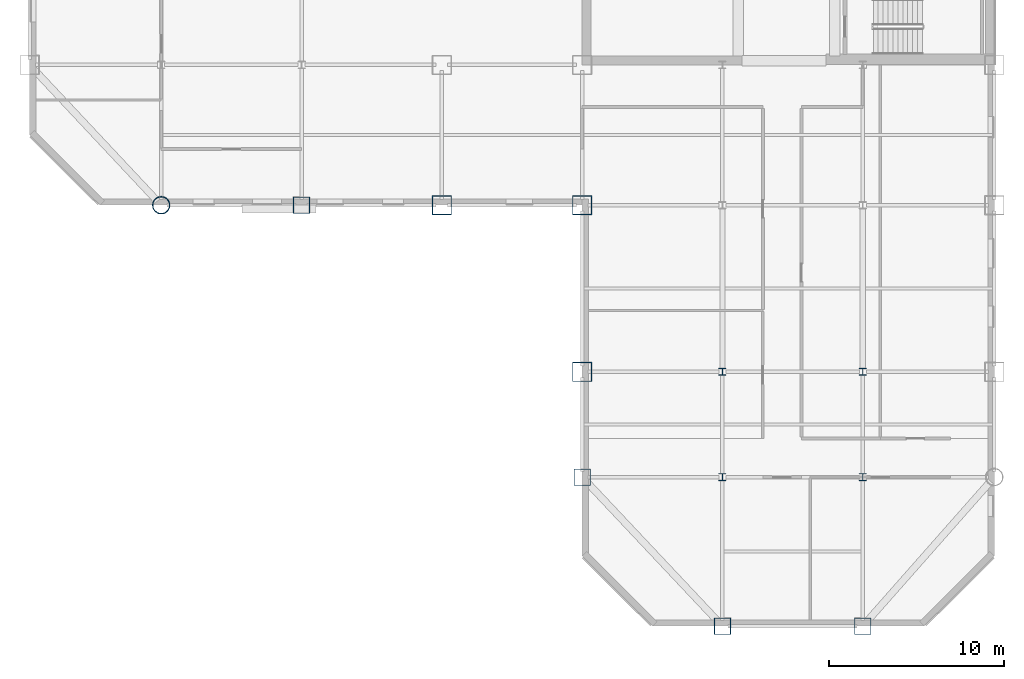
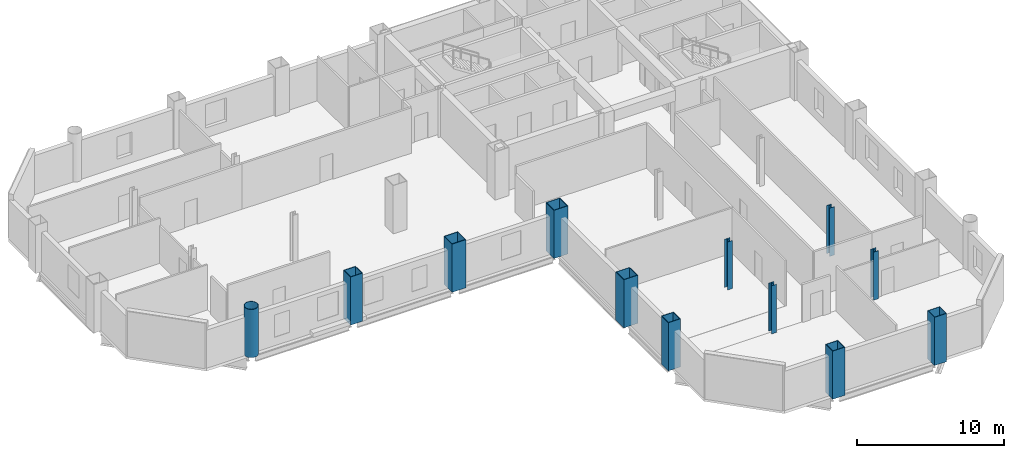
# One storey, part 1 of 10: 12 columns.
"""IFC4 building model written with IfcOpenShell, lengths in metres."""

from ifc_helpers import new_model, si_unit, direction, frame, origin, origin_2d, place, context, subcontext, project, spatial, hollow_rectangle, hollow_circle, i_section, extrude, material, material_profile, profile_set, type_object, element, save


model = new_model("IFC4")

# Units and contexts
model_context = context("Model", 3, precision=1e-05, world=origin(), true_north=direction((0.0, 1.0)))
body_context = subcontext(model_context, "Body", "Model", "MODEL_VIEW")
ifc_project = project(units=[si_unit("LENGTHUNIT", "METRE"), si_unit("AREAUNIT", "SQUARE_METRE"), si_unit("VOLUMEUNIT", "CUBIC_METRE"), si_unit("PLANEANGLEUNIT", "RADIAN"), si_unit("MASSUNIT", "GRAM", prefix="KILO")], contexts=[model_context])

# Site, building, storey
site_placement = place(None, origin())
site = spatial("IfcSite", under=ifc_project, at=site_placement, CompositionType="ELEMENT")
building_placement = place(site_placement, origin())
building = spatial("IfcBuilding", under=site, at=building_placement, Name="Qianrong Seaharbour Tower", CompositionType="ELEMENT")
storey_placement = place(building_placement, frame((0.0, 0.0, 159.0)))
storey = spatial("IfcBuildingStorey", under=building, at=storey_placement, Name="L38", CompositionType="ELEMENT", Elevation=159.0)

# Columns
ifc_material = material(Name="Structural steel SN490B", Category="steel")
ifc_material_profile_1 = material_profile(ifc_material, hollow_rectangle(XDim=1.10009765625, YDim=1.10009765625, WallThickness=0.0400390625, at=origin_2d()), Name="BOX1100x1100x40")
ifc_profile_set_1 = profile_set([ifc_material_profile_1], Name="Structural steel SN490B")
column_type_1 = type_object("IfcColumnType", Name="COL-CFT-1100", PredefinedType="COLUMN", material=ifc_profile_set_1)
for number, where, z_axis, x_axis, name in (
    (1, (32.5, 28.0, 0.0), (0.0, 0.0, 1.0), (1.0, 0.0, 0.0), "L38 Column MC-3 at G5/GE"),
    (2, (40.5, 18.5, 0.0), (0.0, 0.0, 1.0), (1.0, 0.0, 0.0), "L38 Column MC-3 at G6/GD"),
    (3, (40.5, 28.0, 0.0), (0.0, 0.0, 1.0), (1.0, 0.0, 0.0), "L38 Column MC-3 at G6/GE"),
):
    element("IfcColumn", number, at=place(storey_placement, frame(where, z_axis=z_axis, x_axis=x_axis)), inside=storey, type_object=column_type_1, Name=name, PredefinedType="COLUMN", context=body_context, shape_type="SweptSolid", body=[
        extrude(hollow_rectangle(XDim=1.10009765625, YDim=1.10009765625, WallThickness=0.0400390625, at=origin_2d()), origin(), (0.0, 0.0, 1.0), 4.0),
    ])
ifc_material_profile_2 = material_profile(ifc_material, hollow_circle(Radius=0.5, WallThickness=0.035888671875, at=origin_2d()), Name="CHS1000x36")
ifc_profile_set_2 = profile_set([ifc_material_profile_2], Name="Structural steel SN490B")
column_type_2 = type_object("IfcColumnType", Name="COL-CHS-1000", PredefinedType="COLUMN", material=ifc_profile_set_2)
column_placement = place(storey_placement, frame((16.5, 28.0, 0.0), z_axis=(0.0, 0.0, 1.0), x_axis=(1.0, 0.0, 0.0)))
element("IfcColumn", 4, at=column_placement, inside=storey, type_object=column_type_2, Name="L38 Column CC-2 at G3/GE", PredefinedType="COLUMN", context=body_context, shape_type="SweptSolid", body=[
    extrude(hollow_circle(Radius=0.5, WallThickness=0.035888671875, at=origin_2d()), origin(), (0.0, 0.0, 1.0), 4.0),
])
ifc_material_profile_3 = material_profile(ifc_material, i_section(OverallWidth=0.39990234375, OverallDepth=0.39990234375, WebThickness=0.012939453125, FlangeThickness=0.02099609375, FilletRadius=0.02197265625, at=origin_2d()), Name="H400x400x13x21")
ifc_profile_set_3 = profile_set([ifc_material_profile_3], Name="Structural steel SN490B")
column_type_3 = type_object("IfcColumnType", Name="COL-INT-H400", PredefinedType="COLUMN", material=ifc_profile_set_3)
for number, where, z_axis, x_axis, name in (
    (5, (48.5, 12.5, 0.0), (0.0, 0.0, 1.0), (1.0, 0.0, 0.0), "L38 Column IC-3 at G7/GC"),
    (6, (48.5, 18.5, 0.0), (0.0, 0.0, 1.0), (1.0, 0.0, 0.0), "L38 Column IC-3 at G7/GD"),
    (7, (56.5, 12.5, 0.0), (0.0, 0.0, 1.0), (1.0, 0.0, 0.0), "L38 Column IC-3 at G8/GC"),
    (8, (56.5, 18.5, 0.0), (0.0, 0.0, 1.0), (1.0, 0.0, 0.0), "L38 Column IC-3 at G8/GD"),
):
    element("IfcColumn", number, at=place(storey_placement, frame(where, z_axis=z_axis, x_axis=x_axis)), inside=storey, type_object=column_type_3, Name=name, PredefinedType="COLUMN", context=body_context, shape_type="SweptSolid", body=[
        extrude(i_section(OverallWidth=0.39990234375, OverallDepth=0.39990234375, WebThickness=0.012939453125, FlangeThickness=0.02099609375, FilletRadius=0.02197265625, at=origin_2d()), origin(), (0.0, 0.0, 1.0), 4.0),
    ])
ifc_material_profile_4 = material_profile(ifc_material, hollow_rectangle(XDim=0.949951171875, YDim=0.949951171875, WallThickness=0.035888671875, at=origin_2d()), Name="BOX950x950x36")
ifc_profile_set_4 = profile_set([ifc_material_profile_4], Name="Structural steel SN490B")
column_type_4 = type_object("IfcColumnType", Name="COL-PER-950", PredefinedType="COLUMN", material=ifc_profile_set_4)
for number, where, z_axis, x_axis, name in (
    (9, (24.5, 28.0, 0.0), (0.0, 0.0, 1.0), (1.0, 0.0, 0.0), "L38 Column PC-2 at G4/GE"),
    (10, (40.5, 12.5, 0.0), (0.0, 0.0, 1.0), (1.0, 0.0, 0.0), "L38 Column PC-2 at G6/GC"),
    (11, (48.5, 4.0, 0.0), (0.0, 0.0, 1.0), (1.0, 0.0, 0.0), "L38 Column PC-2 at G7/GB"),
    (12, (56.5, 4.0, 0.0), (0.0, 0.0, 1.0), (1.0, 0.0, 0.0), "L38 Column PC-2 at G8/GB"),
):
    element("IfcColumn", number, at=place(storey_placement, frame(where, z_axis=z_axis, x_axis=x_axis)), inside=storey, type_object=column_type_4, Name=name, PredefinedType="COLUMN", context=body_context, shape_type="SweptSolid", body=[
        extrude(hollow_rectangle(XDim=0.949951171875, YDim=0.949951171875, WallThickness=0.035888671875, at=origin_2d()), origin(), (0.0, 0.0, 1.0), 4.0),
    ])

save(model, "model.ifc")
